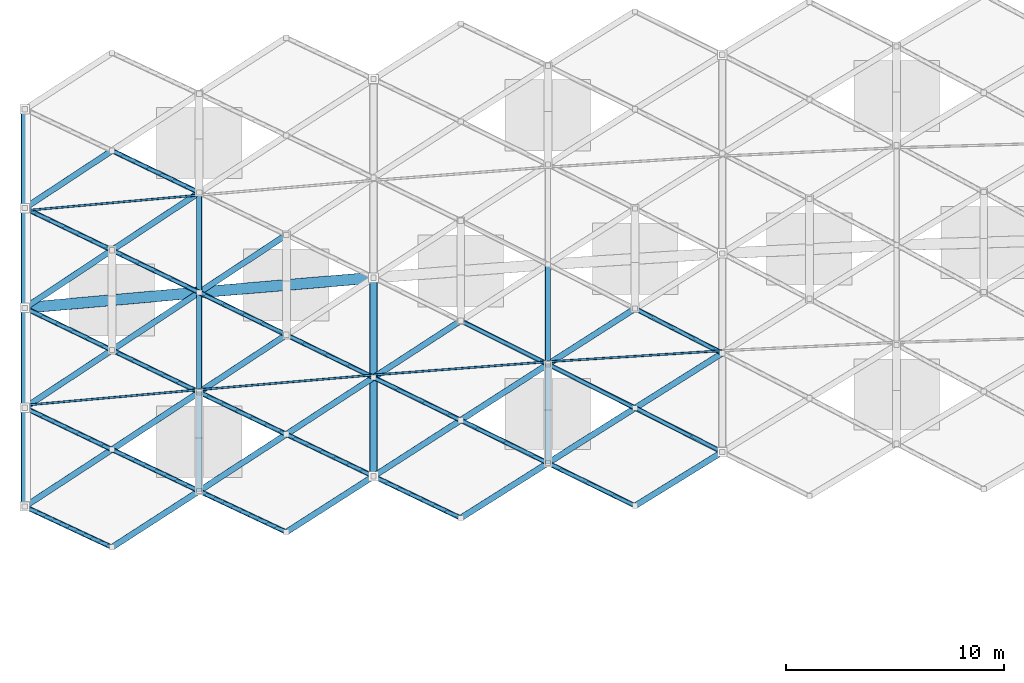
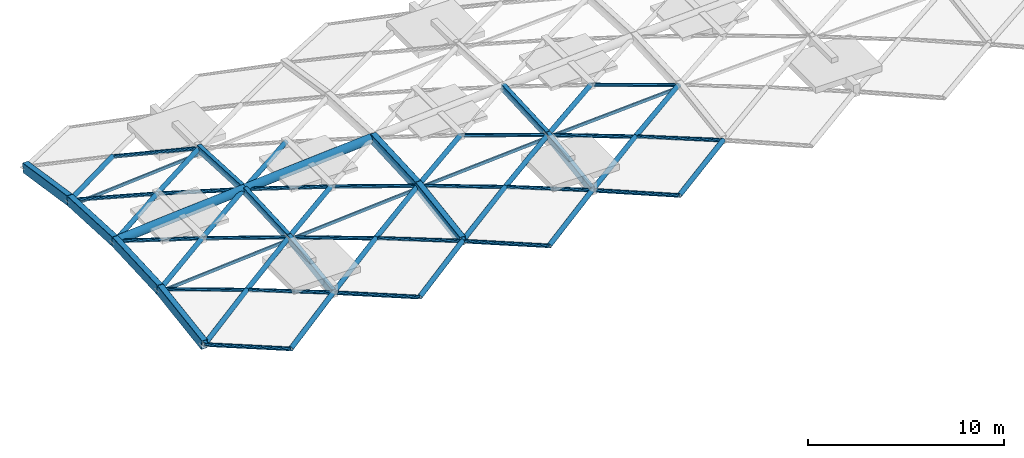
# One storey, part 2 of 27: 49 members, 11 beams.
"""IFC4 building model written with IfcOpenShell, lengths in metres."""

from ifc_helpers import new_model, si_unit, direction, frame, origin, origin_2d, place, context, subcontext, project, spatial, hollow_rectangle, hollow_circle, extrude, material, material_profile, profile_set, type_object, element, save


model = new_model("IFC4")

# Units and contexts
model_context = context("Model", 3, precision=1e-05, world=origin(), true_north=direction((0.0, 1.0)))
body_context = subcontext(model_context, "Body", "Model", "MODEL_VIEW")
ifc_project = project(units=[si_unit("LENGTHUNIT", "METRE"), si_unit("AREAUNIT", "SQUARE_METRE"), si_unit("VOLUMEUNIT", "CUBIC_METRE"), si_unit("PLANEANGLEUNIT", "RADIAN"), si_unit("MASSUNIT", "GRAM", prefix="KILO")], contexts=[model_context])

# Site, building, storey
site_placement = place(None, origin())
site = spatial("IfcSite", under=ifc_project, at=site_placement, CompositionType="ELEMENT")
building_placement = place(site_placement, origin())
building = spatial("IfcBuilding", under=site, at=building_placement, Name="Kenh Van Central Station", CompositionType="ELEMENT")
storey_placement = place(building_placement, frame((0.0, 0.0, 19.199951171875)))
storey = spatial("IfcBuildingStorey", under=building, at=storey_placement, Name="L04", CompositionType="ELEMENT", Elevation=19.199951171875)

# Beams
ifc_material = material(Name="White fluoropolymer structural steel S355", Category="steel")
ifc_material_profile_1 = material_profile(ifc_material, hollow_rectangle(XDim=0.35009765625, YDim=0.60009765625, WallThickness=0.01611328125, InnerFilletRadius=0.01611328125, OuterFilletRadius=0.031982421875, at=origin_2d()), Name="RHS 600x350x16")
ifc_profile_set_1 = profile_set([ifc_material_profile_1], Name="White fluoropolymer structural steel S355")
beam_type_1 = type_object("IfcBeamType", Name="BM-VAULT-ARCH600", PredefinedType="BEAM", material=ifc_profile_set_1)
beam_1_placement = place(storey_placement, frame((32.0, 78.886962890625, 1.081787109375), z_axis=(0.0, 0.988525687015, 0.15105285867), x_axis=(-1.0, 0.0, 0.0)))
element("IfcBeam", 1, at=beam_1_placement, inside=storey, type_object=beam_type_1, Name="Vault transverse arch 005", PredefinedType="BEAM", context=body_context, shape_type="SweptSolid", body=[
    extrude(hollow_rectangle(XDim=0.35009765625, YDim=0.60009765625, WallThickness=0.01611328125, InnerFilletRadius=0.01611328125, OuterFilletRadius=0.031982421875, at=origin_2d()), origin(), (0.0, 0.0, 1.0), 4.58544921875),
])
for number, where, z_axis, x_axis, name in (
    (2, (32.0, 83.419677734375, 1.7744140625), (0.0, 0.998789366283, 0.049191480968), (-1.0, 0.0, 0.0), "Vault transverse arch 006"),
    (3, (32.0, 88.0, 2.0), (0.0, 0.998789366283, -0.049191480968), (-1.0, 0.0, 0.0), "Vault transverse arch 007"),
):
    element("IfcBeam", number, at=place(storey_placement, frame(where, z_axis=z_axis, x_axis=x_axis)), inside=storey, type_object=beam_type_1, Name=name, PredefinedType="BEAM", context=body_context, shape_type="SweptSolid", body=[
        extrude(hollow_rectangle(XDim=0.35009765625, YDim=0.60009765625, WallThickness=0.01611328125, InnerFilletRadius=0.01611328125, OuterFilletRadius=0.031982421875, at=origin_2d()), origin(), (0.0, 0.0, 1.0), 4.5859375),
    ])
for number, where, z_axis, x_axis, name in (
    (4, (32.0, 92.580322265625, 1.7744140625), (0.0, 0.988525687015, -0.15105285867), (-1.0, 0.0, 0.0), "Vault transverse arch 008"),
    (5, (48.0, 80.275390625, 1.081787109375), (0.0, 0.988525687015, 0.15105285867), (-1.0, 0.0, 0.0), "Vault transverse arch 029"),
):
    element("IfcBeam", number, at=place(storey_placement, frame(where, z_axis=z_axis, x_axis=x_axis)), inside=storey, type_object=beam_type_1, Name=name, PredefinedType="BEAM", context=body_context, shape_type="SweptSolid", body=[
        extrude(hollow_rectangle(XDim=0.35009765625, YDim=0.60009765625, WallThickness=0.01611328125, InnerFilletRadius=0.01611328125, OuterFilletRadius=0.031982421875, at=origin_2d()), origin(), (0.0, 0.0, 1.0), 4.58544921875),
    ])
beam_2_placement = place(storey_placement, frame((48.0, 84.80810546875, 1.7744140625), z_axis=(0.0, 0.998789366283, 0.049191480968), x_axis=(-1.0, 0.0, 0.0)))
element("IfcBeam", 6, at=beam_2_placement, inside=storey, type_object=beam_type_1, Name="Vault transverse arch 030", PredefinedType="BEAM", context=body_context, shape_type="SweptSolid", body=[
    extrude(hollow_rectangle(XDim=0.35009765625, YDim=0.60009765625, WallThickness=0.01611328125, InnerFilletRadius=0.01611328125, OuterFilletRadius=0.031982421875, at=origin_2d()), origin(), (0.0, 0.0, 1.0), 4.5859375),
])
ifc_material_profile_2 = material_profile(ifc_material, hollow_rectangle(XDim=0.25, YDim=0.449951171875, WallThickness=0.012451171875, InnerFilletRadius=0.012451171875, OuterFilletRadius=0.02490234375, at=origin_2d()), Name="RHS 450x250x12.5")
ifc_profile_set_2 = profile_set([ifc_material_profile_2], Name="White fluoropolymer structural steel S355")
beam_type_2 = type_object("IfcBeamType", Name="BM-VAULT-SUB450", PredefinedType="BEAM", material=ifc_profile_set_2)
beam_3_placement = place(storey_placement, frame((40.0, 79.59912109375, 1.081787109375), z_axis=(0.0, 0.988525687015, 0.15105285867), x_axis=(-1.0, 0.0, 0.0)))
element("IfcBeam", 7, at=beam_3_placement, inside=storey, type_object=beam_type_2, Name="Vault transverse arch 017", PredefinedType="BEAM", context=body_context, shape_type="SweptSolid", body=[
    extrude(hollow_rectangle(XDim=0.25, YDim=0.449951171875, WallThickness=0.012451171875, InnerFilletRadius=0.012451171875, OuterFilletRadius=0.02490234375, at=origin_2d()), origin(), (0.0, 0.0, 1.0), 4.58544921875),
])
beam_4_placement = place(storey_placement, frame((40.0, 84.1318359375, 1.7744140625), z_axis=(0.0, 0.998789366283, 0.049191480968), x_axis=(-1.0, 0.0, 0.0)))
element("IfcBeam", 8, at=beam_4_placement, inside=storey, type_object=beam_type_2, Name="Vault transverse arch 018", PredefinedType="BEAM", context=body_context, shape_type="SweptSolid", body=[
    extrude(hollow_rectangle(XDim=0.25, YDim=0.449951171875, WallThickness=0.012451171875, InnerFilletRadius=0.012451171875, OuterFilletRadius=0.02490234375, at=origin_2d()), origin(), (0.0, 0.0, 1.0), 4.5859375),
])
beam_5_placement = place(storey_placement, frame((40.0, 88.712158203125, 2.0), z_axis=(0.0, 0.998789237449, -0.04919409677), x_axis=(-1.0, 0.0, 0.0)))
element("IfcBeam", 9, at=beam_5_placement, inside=storey, type_object=beam_type_2, Name="Vault transverse arch 019", PredefinedType="BEAM", context=body_context, shape_type="SweptSolid", body=[
    extrude(hollow_rectangle(XDim=0.25, YDim=0.449951171875, WallThickness=0.012451171875, InnerFilletRadius=0.012451171875, OuterFilletRadius=0.02490234375, at=origin_2d()), origin(), (0.0, 0.0, 1.0), 4.585693359375),
])
beam_6_placement = place(storey_placement, frame((56.0, 80.882080078125, 1.081787109375), z_axis=(0.0, 0.988526901782, 0.151044908728), x_axis=(-1.0, 0.0, 0.0)))
element("IfcBeam", 10, at=beam_6_placement, inside=storey, type_object=beam_type_2, Name="Vault transverse arch 041", PredefinedType="BEAM", context=body_context, shape_type="SweptSolid", body=[
    extrude(hollow_rectangle(XDim=0.25, YDim=0.449951171875, WallThickness=0.012451171875, InnerFilletRadius=0.012451171875, OuterFilletRadius=0.02490234375, at=origin_2d()), origin(), (0.0, 0.0, 1.0), 4.58544921875),
])
beam_7_placement = place(storey_placement, frame((56.0, 85.4150390625, 1.7744140625), z_axis=(0.0, 0.998789237449, 0.04919409677), x_axis=(-1.0, 0.0, 0.0)))
element("IfcBeam", 11, at=beam_7_placement, inside=storey, type_object=beam_type_2, Name="Vault transverse arch 042", PredefinedType="BEAM", context=body_context, shape_type="SweptSolid", body=[
    extrude(hollow_rectangle(XDim=0.25, YDim=0.449951171875, WallThickness=0.012451171875, InnerFilletRadius=0.012451171875, OuterFilletRadius=0.02490234375, at=origin_2d()), origin(), (0.0, 0.0, 1.0), 4.585693359375),
])

# Members
ifc_material_profile_3 = material_profile(ifc_material, hollow_rectangle(XDim=0.10009765625, YDim=0.199951171875, WallThickness=0.008056640625, InnerFilletRadius=0.008056640625, OuterFilletRadius=0.01611328125, at=origin_2d()), Name="RHS 200x100x8")
ifc_profile_set_3 = profile_set([ifc_material_profile_3], Name="White fluoropolymer structural steel S355")
member_type_1 = type_object("IfcMemberType", Name="MEM-PUR-RHS200", PredefinedType="PURLIN", material=ifc_profile_set_3)
member_1_placement = place(storey_placement, frame((32.0, 83.53466796875, 1.51904296875), z_axis=(0.99606113461, 0.088669138478, 0.0), x_axis=(-0.088669138478, 0.99606113461, 0.0)))
element("IfcMember", 12, at=member_1_placement, inside=storey, type_object=member_type_1, Name="Vault longitudinal purlin 015", PredefinedType="PURLIN", context=body_context, shape_type="SweptSolid", body=[
    extrude(hollow_rectangle(XDim=0.10009765625, YDim=0.199951171875, WallThickness=0.008056640625, InnerFilletRadius=0.008056640625, OuterFilletRadius=0.01611328125, at=origin_2d()), origin(), (0.0, 0.0, 1.0), 8.03173828125),
])
member_2_placement = place(storey_placement, frame((40.0, 84.246826171875, 1.51904296875), z_axis=(0.996446063383, 0.084233264025, 0.0), x_axis=(-0.084233264025, 0.996446063383, 0.0)))
element("IfcMember", 13, at=member_2_placement, inside=storey, type_object=member_type_1, Name="Vault longitudinal purlin 016", PredefinedType="PURLIN", context=body_context, shape_type="SweptSolid", body=[
    extrude(hollow_rectangle(XDim=0.10009765625, YDim=0.199951171875, WallThickness=0.008056640625, InnerFilletRadius=0.008056640625, OuterFilletRadius=0.01611328125, at=origin_2d()), origin(), (0.0, 0.0, 1.0), 8.028564453125),
])
member_3_placement = place(storey_placement, frame((48.0, 84.923095703125, 1.51904296875), z_axis=(0.997136780926, 0.075619046039, 0.0), x_axis=(-0.075619046039, 0.997136780926, 0.0)))
element("IfcMember", 14, at=member_3_placement, inside=storey, type_object=member_type_1, Name="Vault longitudinal purlin 017", PredefinedType="PURLIN", context=body_context, shape_type="SweptSolid", body=[
    extrude(hollow_rectangle(XDim=0.10009765625, YDim=0.199951171875, WallThickness=0.008056640625, InnerFilletRadius=0.008056640625, OuterFilletRadius=0.01611328125, at=origin_2d()), origin(), (0.0, 0.0, 1.0), 8.02294921875),
])
member_4_placement = place(storey_placement, frame((56.0, 85.52978515625, 1.51904296875), z_axis=(0.997999125469, 0.063227727798, 0.0), x_axis=(-0.063227727798, 0.997999125469, 0.0)))
element("IfcMember", 15, at=member_4_placement, inside=storey, type_object=member_type_1, Name="Vault longitudinal purlin 018", PredefinedType="PURLIN", context=body_context, shape_type="SweptSolid", body=[
    extrude(hollow_rectangle(XDim=0.10009765625, YDim=0.199951171875, WallThickness=0.008056640625, InnerFilletRadius=0.008056640625, OuterFilletRadius=0.01611328125, at=origin_2d()), origin(), (0.0, 0.0, 1.0), 8.01611328125),
])
member_5_placement = place(storey_placement, frame((32.0, 92.46533203125, 1.51904296875), z_axis=(0.99606113461, 0.088669138478, 0.0), x_axis=(-0.088669138478, 0.99606113461, 0.0)))
element("IfcMember", 16, at=member_5_placement, inside=storey, type_object=member_type_1, Name="Vault longitudinal purlin 029", PredefinedType="PURLIN", context=body_context, shape_type="SweptSolid", body=[
    extrude(hollow_rectangle(XDim=0.10009765625, YDim=0.199951171875, WallThickness=0.008056640625, InnerFilletRadius=0.008056640625, OuterFilletRadius=0.01611328125, at=origin_2d()), origin(), (0.0, 0.0, 1.0), 8.03173828125),
])
ifc_material_profile_4 = material_profile(ifc_material, hollow_circle(Radius=0.109619140625, WallThickness=0.008056640625, at=origin_2d()), Name="CHS 219.1x8")
ifc_profile_set_4 = profile_set([ifc_material_profile_4], Name="White fluoropolymer structural steel S355")
member_type_2 = type_object("IfcMemberType", Name="MEM-VAULT-BRC219", PredefinedType="BRACE", material=ifc_profile_set_4)
member_6_placement = place(storey_placement, frame((32.0, 78.886962890625, 1.081787109375), z_axis=(0.899154385215, -0.420710297672, -0.120516542354), x_axis=(0.423799235073, 0.905756152809, 0.0)))
element("IfcMember", 17, at=member_6_placement, inside=storey, type_object=member_type_2, Name="Vault diamond grid member 0009", PredefinedType="BRACE", context=body_context, shape_type="SweptSolid", body=[
    extrude(hollow_circle(Radius=0.109619140625, WallThickness=0.008056640625, at=origin_2d()), origin(), (0.0, 0.0, 1.0), 4.44873046875),
])
member_7_placement = place(storey_placement, frame((32.0, 83.419677734375, 1.7744140625), z_axis=(0.899905197116, -0.431332733945, -0.064208323696), x_axis=(0.432224622277, 0.901765976236, 0.0)))
element("IfcMember", 18, at=member_7_placement, inside=storey, type_object=member_type_2, Name="Vault diamond grid member 0011", PredefinedType="BRACE", context=body_context, shape_type="SweptSolid", body=[
    extrude(hollow_circle(Radius=0.109619140625, WallThickness=0.008056640625, at=origin_2d()), origin(), (0.0, 0.0, 1.0), 4.44482421875),
])
member_8_placement = place(storey_placement, frame((32.0, 88.0, 2.0), z_axis=(0.900167968517, -0.435359557039, -0.0126366353), x_axis=(0.4353943213, 0.900239848585, 0.0)))
element("IfcMember", 19, at=member_8_placement, inside=storey, type_object=member_type_2, Name="Vault diamond grid member 0013", PredefinedType="BRACE", context=body_context, shape_type="SweptSolid", body=[
    extrude(hollow_circle(Radius=0.109619140625, WallThickness=0.008056640625, at=origin_2d()), origin(), (0.0, 0.0, 1.0), 4.443603515625),
])
member_9_placement = place(storey_placement, frame((32.0, 92.580322265625, 1.7744140625), z_axis=(0.900058531913, -0.434098054149, 0.038125037912), x_axis=(0.434413883268, 0.900713371736, 0.0)))
element("IfcMember", 20, at=member_9_placement, inside=storey, type_object=member_type_2, Name="Vault diamond grid member 0015", PredefinedType="BRACE", context=body_context, shape_type="SweptSolid", body=[
    extrude(hollow_circle(Radius=0.109619140625, WallThickness=0.008056640625, at=origin_2d()), origin(), (0.0, 0.0, 1.0), 4.444091796875),
])
member_10_placement = place(storey_placement, frame((36.0, 81.50244140625, 1.489013671875), z_axis=(0.89919518806, -0.427864116584, -0.091544041363), x_axis=(0.429668281425, 0.902986803856, 0.0)))
element("IfcMember", 21, at=member_10_placement, inside=storey, type_object=member_type_2, Name="Vault diamond grid member 0034", PredefinedType="BRACE", context=body_context, shape_type="SweptSolid", body=[
    extrude(hollow_circle(Radius=0.109619140625, WallThickness=0.008056640625, at=origin_2d()), origin(), (0.0, 0.0, 1.0), 4.448486328125),
])
member_11_placement = place(storey_placement, frame((36.0, 86.0654296875, 1.94384765625), z_axis=(0.899671990143, -0.434900034298, -0.038108664622), x_axis=(0.435216174887, 0.900325986028, 0.0)))
element("IfcMember", 22, at=member_11_placement, inside=storey, type_object=member_type_2, Name="Vault diamond grid member 0036", PredefinedType="BRACE", context=body_context, shape_type="SweptSolid", body=[
    extrude(hollow_circle(Radius=0.109619140625, WallThickness=0.008056640625, at=origin_2d()), origin(), (0.0, 0.0, 1.0), 4.446044921875),
])
member_12_placement = place(storey_placement, frame((36.0, 90.651123046875, 1.94384765625), z_axis=(0.899780211148, -0.436160549129, 0.012631191929), x_axis=(0.436195347349, 0.899851998359, 0.0)))
element("IfcMember", 23, at=member_12_placement, inside=storey, type_object=member_type_2, Name="Vault diamond grid member 0038", PredefinedType="BRACE", context=body_context, shape_type="SweptSolid", body=[
    extrude(hollow_circle(Radius=0.109619140625, WallThickness=0.008056640625, at=origin_2d()), origin(), (0.0, 0.0, 1.0), 4.445556640625),
])
member_13_placement = place(storey_placement, frame((36.0, 95.214111328125, 1.489013671875), z_axis=(0.899499902168, -0.43218159362, 0.064179405861), x_axis=(0.433074429918, 0.90135816308, 0.0)))
element("IfcMember", 24, at=member_13_placement, inside=storey, type_object=member_type_2, Name="Vault diamond grid member 0040", PredefinedType="BRACE", context=body_context, shape_type="SweptSolid", body=[
    extrude(hollow_circle(Radius=0.109619140625, WallThickness=0.008056640625, at=origin_2d()), origin(), (0.0, 0.0, 1.0), 4.447021484375),
])
member_14_placement = place(storey_placement, frame((40.0, 79.59912109375, 1.081787109375), z_axis=(0.897989833528, -0.423234710358, -0.120360453761), x_axis=(0.426334049759, 0.904565795294, 0.0)))
element("IfcMember", 25, at=member_14_placement, inside=storey, type_object=member_type_2, Name="Vault diamond grid member 0057", PredefinedType="BRACE", context=body_context, shape_type="SweptSolid", body=[
    extrude(hollow_circle(Radius=0.109619140625, WallThickness=0.008056640625, at=origin_2d()), origin(), (0.0, 0.0, 1.0), 4.454345703125),
])
member_15_placement = place(storey_placement, frame((40.0, 84.1318359375, 1.7744140625), z_axis=(0.898709411144, -0.433831343551, -0.06412300425), x_axis=(0.434726008596, 0.90056276708, 0.0)))
element("IfcMember", 26, at=member_15_placement, inside=storey, type_object=member_type_2, Name="Vault diamond grid member 0059", PredefinedType="BRACE", context=body_context, shape_type="SweptSolid", body=[
    extrude(hollow_circle(Radius=0.109619140625, WallThickness=0.008056640625, at=origin_2d()), origin(), (0.0, 0.0, 1.0), 4.450927734375),
])
member_16_placement = place(storey_placement, frame((40.0, 88.712158203125, 2.0), z_axis=(0.89896037554, -0.43784813213, -0.012619683006), x_axis=(0.437883001353, 0.899031966688, 0.0)))
element("IfcMember", 27, at=member_16_placement, inside=storey, type_object=member_type_2, Name="Vault diamond grid member 0061", PredefinedType="BRACE", context=body_context, shape_type="SweptSolid", body=[
    extrude(hollow_circle(Radius=0.109619140625, WallThickness=0.008056640625, at=origin_2d()), origin(), (0.0, 0.0, 1.0), 4.449462890625),
])
member_17_placement = place(storey_placement, frame((44.0, 82.200927734375, 1.489013671875), z_axis=(0.897268705184, -0.431931047228, -0.091347912613), x_axis=(0.433744516041, 0.901035900952, 0.0)))
element("IfcMember", 28, at=member_17_placement, inside=storey, type_object=member_type_2, Name="Vault diamond grid member 0082", PredefinedType="BRACE", context=body_context, shape_type="SweptSolid", body=[
    extrude(hollow_circle(Radius=0.109619140625, WallThickness=0.008056640625, at=origin_2d()), origin(), (0.0, 0.0, 1.0), 4.4580078125),
])
member_18_placement = place(storey_placement, frame((44.0, 86.763916015625, 1.94384765625), z_axis=(0.897712034837, -0.438938666448, -0.038025644054), x_axis=(0.439256352604, 0.898361762709, 0.0)))
element("IfcMember", 29, at=member_18_placement, inside=storey, type_object=member_type_2, Name="Vault diamond grid member 0084", PredefinedType="BRACE", context=body_context, shape_type="SweptSolid", body=[
    extrude(hollow_circle(Radius=0.109619140625, WallThickness=0.008056640625, at=origin_2d()), origin(), (0.0, 0.0, 1.0), 4.455810546875),
])
member_19_placement = place(storey_placement, frame((48.0, 80.275390625, 1.081787109375), z_axis=(0.895376372843, -0.428834130719, -0.120010163255), x_axis=(0.431956022393, 0.901894669414, 0.0)))
element("IfcMember", 30, at=member_19_placement, inside=storey, type_object=member_type_2, Name="Vault diamond grid member 0105", PredefinedType="BRACE", context=body_context, shape_type="SweptSolid", body=[
    extrude(hollow_circle(Radius=0.109619140625, WallThickness=0.008056640625, at=origin_2d()), origin(), (0.0, 0.0, 1.0), 4.46728515625),
])
member_20_placement = place(storey_placement, frame((48.0, 84.80810546875, 1.7744140625), z_axis=(0.896027031149, -0.439372629898, -0.063931616175), x_axis=(0.440273305035, 0.897863807531, 0.0)))
element("IfcMember", 31, at=member_20_placement, inside=storey, type_object=member_type_2, Name="Vault diamond grid member 0107", PredefinedType="BRACE", context=body_context, shape_type="SweptSolid", body=[
    extrude(hollow_circle(Radius=0.109619140625, WallThickness=0.008056640625, at=origin_2d()), origin(), (0.0, 0.0, 1.0), 4.464111328125),
])
member_21_placement = place(storey_placement, frame((52.0, 82.8466796875, 1.489013671875), z_axis=(0.893857870913, -0.439018206008, -0.091000667034), x_axis=(0.440847355971, 0.897582090248, 0.0)))
element("IfcMember", 32, at=member_21_placement, inside=storey, type_object=member_type_2, Name="Vault diamond grid member 0130", PredefinedType="BRACE", context=body_context, shape_type="SweptSolid", body=[
    extrude(hollow_circle(Radius=0.109619140625, WallThickness=0.008056640625, at=origin_2d()), origin(), (0.0, 0.0, 1.0), 4.47509765625),
])
member_22_placement = place(storey_placement, frame((52.0, 87.40966796875, 1.94384765625), z_axis=(0.894265070601, -0.445931739918, -0.037879636169), x_axis=(0.446252010951, 0.894907337506, 0.0)))
element("IfcMember", 33, at=member_22_placement, inside=storey, type_object=member_type_2, Name="Vault diamond grid member 0132", PredefinedType="BRACE", context=body_context, shape_type="SweptSolid", body=[
    extrude(hollow_circle(Radius=0.109619140625, WallThickness=0.008056640625, at=origin_2d()), origin(), (0.0, 0.0, 1.0), 4.472900390625),
])
member_23_placement = place(storey_placement, frame((56.0, 80.882080078125, 1.081787109375), z_axis=(0.891347084703, -0.437295402029, -0.119470104859), x_axis=(0.440449993653, 0.897777145561, 0.0)))
element("IfcMember", 34, at=member_23_placement, inside=storey, type_object=member_type_2, Name="Vault diamond grid member 0153", PredefinedType="BRACE", context=body_context, shape_type="SweptSolid", body=[
    extrude(hollow_circle(Radius=0.109619140625, WallThickness=0.008056640625, at=origin_2d()), origin(), (0.0, 0.0, 1.0), 4.487548828125),
])
member_24_placement = place(storey_placement, frame((56.0, 85.4150390625, 1.7744140625), z_axis=(0.891872836935, -0.447787228798, -0.063635214012), x_axis=(0.448696635535, 0.893684132823, 0.0)))
element("IfcMember", 35, at=member_24_placement, inside=storey, type_object=member_type_2, Name="Vault diamond grid member 0155", PredefinedType="BRACE", context=body_context, shape_type="SweptSolid", body=[
    extrude(hollow_circle(Radius=0.109619140625, WallThickness=0.008056640625, at=origin_2d()), origin(), (0.0, 0.0, 1.0), 4.48486328125),
])
member_25_placement = place(storey_placement, frame((60.0, 83.40673828125, 1.489013671875), z_axis=(0.889164678776, -0.44854407166, -0.090522868909), x_axis=(0.450393216394, 0.892830303376, 0.0)))
element("IfcMember", 36, at=member_25_placement, inside=storey, type_object=member_type_2, Name="Vault diamond grid member 0178", PredefinedType="BRACE", context=body_context, shape_type="SweptSolid", body=[
    extrude(hollow_circle(Radius=0.109619140625, WallThickness=0.008056640625, at=origin_2d()), origin(), (0.0, 0.0, 1.0), 4.49853515625),
])
member_26_placement = place(storey_placement, frame((60.0, 87.9697265625, 1.94384765625), z_axis=(0.889473195619, -0.455431557498, -0.03767666002), x_axis=(0.455755151594, 0.890105185804, 0.0)))
element("IfcMember", 37, at=member_26_placement, inside=storey, type_object=member_type_2, Name="Vault diamond grid member 0180", PredefinedType="BRACE", context=body_context, shape_type="SweptSolid", body=[
    extrude(hollow_circle(Radius=0.109619140625, WallThickness=0.008056640625, at=origin_2d()), origin(), (0.0, 0.0, 1.0), 4.4970703125),
])
ifc_material_profile_5 = material_profile(ifc_material, hollow_circle(Radius=0.136474609375, WallThickness=0.010009765625, at=origin_2d()), Name="CHS 273x10")
ifc_profile_set_5 = profile_set([ifc_material_profile_5], Name="White fluoropolymer structural steel S355")
member_type_3 = type_object("IfcMemberType", Name="MEM-VAULT-CHD273", PredefinedType="CHORD", material=ifc_profile_set_5)
member_27_placement = place(storey_placement, frame((32.0, 78.886962890625, 1.081787109375), z_axis=(0.833938713525, 0.545287197143, 0.084900498911), x_axis=(-0.547263126479, 0.836960614603, 0.0)))
element("IfcMember", 38, at=member_27_placement, inside=storey, type_object=member_type_3, Name="Vault diamond grid member 0008", PredefinedType="CHORD", context=body_context, shape_type="SweptSolid", body=[
    extrude(hollow_circle(Radius=0.136474609375, WallThickness=0.010009765625, at=origin_2d()), origin(), (0.0, 0.0, 1.0), 4.796630859375),
])
member_28_placement = place(storey_placement, frame((32.0, 83.419677734375, 1.7744140625), z_axis=(0.833537561667, 0.551333407946, 0.03530731615), x_axis=(-0.5516773775, 0.834057594627, 0.0)))
element("IfcMember", 39, at=member_28_placement, inside=storey, type_object=member_type_3, Name="Vault diamond grid member 0010", PredefinedType="CHORD", context=body_context, shape_type="SweptSolid", body=[
    extrude(hollow_circle(Radius=0.136474609375, WallThickness=0.010009765625, at=origin_2d()), origin(), (0.0, 0.0, 1.0), 4.798828125),
])
member_29_placement = place(storey_placement, frame((32.0, 88.0, 2.0), z_axis=(0.833485167076, 0.552417933916, -0.011700536403), x_axis=(-0.552455751512, 0.833542226058, 0.0)))
element("IfcMember", 40, at=member_29_placement, inside=storey, type_object=member_type_3, Name="Vault diamond grid member 0012", PredefinedType="CHORD", context=body_context, shape_type="SweptSolid", body=[
    extrude(hollow_circle(Radius=0.136474609375, WallThickness=0.010009765625, at=origin_2d()), origin(), (0.0, 0.0, 1.0), 4.799072265625),
])
member_30_placement = place(storey_placement, frame((32.0, 92.580322265625, 1.7744140625), z_axis=(0.833726076648, 0.548964655449, -0.059486436987), x_axis=(-0.549938533961, 0.835205129812, 0.0)))
element("IfcMember", 41, at=member_30_placement, inside=storey, type_object=member_type_3, Name="Vault diamond grid member 0014", PredefinedType="CHORD", context=body_context, shape_type="SweptSolid", body=[
    extrude(hollow_circle(Radius=0.136474609375, WallThickness=0.010009765625, at=origin_2d()), origin(), (0.0, 0.0, 1.0), 4.7978515625),
])
member_31_placement = place(storey_placement, frame((36.0, 77.015380859375, 0.545654296875), z_axis=(0.83472657669, 0.539179160224, 0.111881076807), x_axis=(-0.542585728731, 0.840000432725, 0.0)))
element("IfcMember", 42, at=member_31_placement, inside=storey, type_object=member_type_3, Name="Vault diamond grid member 0031", PredefinedType="CHORD", context=body_context, shape_type="SweptSolid", body=[
    extrude(hollow_circle(Radius=0.136474609375, WallThickness=0.010009765625, at=origin_2d()), origin(), (0.0, 0.0, 1.0), 4.7919921875),
])
member_32_placement = place(storey_placement, frame((36.0, 81.50244140625, 1.489013671875), z_axis=(0.834145264507, 0.54832424919, 0.059516346082), x_axis=(-0.549297972625, 0.835626553713, 0.0)))
element("IfcMember", 43, at=member_32_placement, inside=storey, type_object=member_type_3, Name="Vault diamond grid member 0033", PredefinedType="CHORD", context=body_context, shape_type="SweptSolid", body=[
    extrude(hollow_circle(Radius=0.136474609375, WallThickness=0.010009765625, at=origin_2d()), origin(), (0.0, 0.0, 1.0), 4.79541015625),
])
member_33_placement = place(storey_placement, frame((36.0, 86.0654296875, 1.94384765625), z_axis=(0.833906752318, 0.551781195183, 0.011706454653), x_axis=(-0.551819007415, 0.833963897933, 0.0)))
element("IfcMember", 44, at=member_33_placement, inside=storey, type_object=member_type_3, Name="Vault diamond grid member 0035", PredefinedType="CHORD", context=body_context, shape_type="SweptSolid", body=[
    extrude(hollow_circle(Radius=0.136474609375, WallThickness=0.010009765625, at=origin_2d()), origin(), (0.0, 0.0, 1.0), 4.796630859375),
])
member_34_placement = place(storey_placement, frame((36.0, 90.651123046875, 1.94384765625), z_axis=(0.833981747272, 0.55066006726, -0.035326131141), x_axis=(-0.551003983317, 0.834502612559, 0.0)))
element("IfcMember", 45, at=member_34_placement, inside=storey, type_object=member_type_3, Name="Vault diamond grid member 0037", PredefinedType="CHORD", context=body_context, shape_type="SweptSolid", body=[
    extrude(hollow_circle(Radius=0.136474609375, WallThickness=0.010009765625, at=origin_2d()), origin(), (0.0, 0.0, 1.0), 4.79638671875),
])
member_35_placement = place(storey_placement, frame((40.0, 79.59912109375, 1.081787109375), z_axis=(0.835234508798, 0.543279672868, 0.085032419475), x_axis=(-0.54525448371, 0.838270569682, 0.0)))
element("IfcMember", 46, at=member_35_placement, inside=storey, type_object=member_type_3, Name="Vault diamond grid member 0056", PredefinedType="CHORD", context=body_context, shape_type="SweptSolid", body=[
    extrude(hollow_circle(Radius=0.136474609375, WallThickness=0.010009765625, at=origin_2d()), origin(), (0.0, 0.0, 1.0), 4.7890625),
])
member_36_placement = place(storey_placement, frame((40.0, 84.1318359375, 1.7744140625), z_axis=(0.834846536416, 0.549345734198, 0.035362762224), x_axis=(-0.549689541961, 0.835369024718, 0.0)))
element("IfcMember", 47, at=member_36_placement, inside=storey, type_object=member_type_3, Name="Vault diamond grid member 0058", PredefinedType="CHORD", context=body_context, shape_type="SweptSolid", body=[
    extrude(hollow_circle(Radius=0.136474609375, WallThickness=0.010009765625, at=origin_2d()), origin(), (0.0, 0.0, 1.0), 4.791259765625),
])
member_37_placement = place(storey_placement, frame((40.0, 88.712158203125, 2.0), z_axis=(0.834773152084, 0.550469307563, -0.011718617247), x_axis=(-0.550507108328, 0.834830476013, 0.0)))
element("IfcMember", 48, at=member_37_placement, inside=storey, type_object=member_type_3, Name="Vault diamond grid member 0060", PredefinedType="CHORD", context=body_context, shape_type="SweptSolid", body=[
    extrude(hollow_circle(Radius=0.136474609375, WallThickness=0.010009765625, at=origin_2d()), origin(), (0.0, 0.0, 1.0), 4.791748046875),
])
member_38_placement = place(storey_placement, frame((44.0, 77.7138671875, 0.545654296875), z_axis=(0.836812013258, 0.535878396185, 0.11216059455), x_axis=(-0.539281210442, 0.842125748368, 0.0)))
element("IfcMember", 49, at=member_38_placement, inside=storey, type_object=member_type_3, Name="Vault diamond grid member 0079", PredefinedType="CHORD", context=body_context, shape_type="SweptSolid", body=[
    extrude(hollow_circle(Radius=0.136474609375, WallThickness=0.010009765625, at=origin_2d()), origin(), (0.0, 0.0, 1.0), 4.780029296875),
])
member_39_placement = place(storey_placement, frame((44.0, 82.200927734375, 1.489013671875), z_axis=(0.836263408069, 0.545071834397, 0.059667475832), x_axis=(-0.546044717382, 0.837756030488, 0.0)))
element("IfcMember", 50, at=member_39_placement, inside=storey, type_object=member_type_3, Name="Vault diamond grid member 0081", PredefinedType="CHORD", context=body_context, shape_type="SweptSolid", body=[
    extrude(hollow_circle(Radius=0.136474609375, WallThickness=0.010009765625, at=origin_2d()), origin(), (0.0, 0.0, 1.0), 4.783203125),
])
member_40_placement = place(storey_placement, frame((48.0, 80.275390625, 1.081787109375), z_axis=(0.838124024314, 0.538764784184, 0.085326591343), x_axis=(-0.540736831818, 0.841191820405, 0.0)))
element("IfcMember", 51, at=member_40_placement, inside=storey, type_object=member_type_3, Name="Vault diamond grid member 0104", PredefinedType="CHORD", context=body_context, shape_type="SweptSolid", body=[
    extrude(hollow_circle(Radius=0.136474609375, WallThickness=0.010009765625, at=origin_2d()), origin(), (0.0, 0.0, 1.0), 4.7724609375),
])
member_41_placement = place(storey_placement, frame((48.0, 84.80810546875, 1.7744140625), z_axis=(0.837765962791, 0.544875128143, 0.035486424449), x_axis=(-0.545218529405, 0.838293955121, 0.0)))
element("IfcMember", 52, at=member_41_placement, inside=storey, type_object=member_type_3, Name="Vault diamond grid member 0106", PredefinedType="CHORD", context=body_context, shape_type="SweptSolid", body=[
    extrude(hollow_circle(Radius=0.136474609375, WallThickness=0.010009765625, at=origin_2d()), origin(), (0.0, 0.0, 1.0), 4.774658203125),
])
member_42_placement = place(storey_placement, frame((52.0, 78.359619140625, 0.545654296875), z_axis=(0.840472512832, 0.530014770665, 0.112651223033), x_axis=(-0.533410143989, 0.845856736268, 0.0)))
element("IfcMember", 53, at=member_42_placement, inside=storey, type_object=member_type_3, Name="Vault diamond grid member 0127", PredefinedType="CHORD", context=body_context, shape_type="SweptSolid", body=[
    extrude(hollow_circle(Radius=0.136474609375, WallThickness=0.010009765625, at=origin_2d()), origin(), (0.0, 0.0, 1.0), 4.75927734375),
])
member_43_placement = place(storey_placement, frame((52.0, 82.8466796875, 1.489013671875), z_axis=(0.839959508267, 0.53932946942, 0.059931192942), x_axis=(-0.540300654133, 0.841472045372, 0.0)))
element("IfcMember", 54, at=member_43_placement, inside=storey, type_object=member_type_3, Name="Vault diamond grid member 0129", PredefinedType="CHORD", context=body_context, shape_type="SweptSolid", body=[
    extrude(hollow_circle(Radius=0.136474609375, WallThickness=0.010009765625, at=origin_2d()), origin(), (0.0, 0.0, 1.0), 4.76220703125),
])
member_44_placement = place(storey_placement, frame((56.0, 80.882080078125, 1.081787109375), z_axis=(0.842530462949, 0.531775361167, 0.085775196057), x_axis=(-0.53374246021, 0.845647081334, 0.0)))
element("IfcMember", 55, at=member_44_placement, inside=storey, type_object=member_type_3, Name="Vault diamond grid member 0152", PredefinedType="CHORD", context=body_context, shape_type="SweptSolid", body=[
    extrude(hollow_circle(Radius=0.136474609375, WallThickness=0.010009765625, at=origin_2d()), origin(), (0.0, 0.0, 1.0), 4.74755859375),
])
member_45_placement = place(storey_placement, frame((56.0, 85.4150390625, 1.7744140625), z_axis=(0.842242721568, 0.537916738189, 0.035676052781), x_axis=(-0.538259390347, 0.842779228923, 0.0)))
element("IfcMember", 56, at=member_45_placement, inside=storey, type_object=member_type_3, Name="Vault diamond grid member 0154", PredefinedType="CHORD", context=body_context, shape_type="SweptSolid", body=[
    extrude(hollow_circle(Radius=0.136474609375, WallThickness=0.010009765625, at=origin_2d()), origin(), (0.0, 0.0, 1.0), 4.749267578125),
])
member_46_placement = place(storey_placement, frame((60.0, 78.919677734375, 0.545654296875), z_axis=(0.845445378066, 0.521901523056, 0.113317752089), x_axis=(-0.525284989257, 0.850926365828, 0.0)))
element("IfcMember", 57, at=member_46_placement, inside=storey, type_object=member_type_3, Name="Vault diamond grid member 0175", PredefinedType="CHORD", context=body_context, shape_type="SweptSolid", body=[
    extrude(hollow_circle(Radius=0.136474609375, WallThickness=0.010009765625, at=origin_2d()), origin(), (0.0, 0.0, 1.0), 4.731201171875),
])
member_47_placement = place(storey_placement, frame((60.0, 83.40673828125, 1.489013671875), z_axis=(0.845038483663, 0.531295252699, 0.060293578333), x_axis=(-0.532263606661, 0.846578675035, 0.0)))
element("IfcMember", 58, at=member_47_placement, inside=storey, type_object=member_type_3, Name="Vault diamond grid member 0177", PredefinedType="CHORD", context=body_context, shape_type="SweptSolid", body=[
    extrude(hollow_circle(Radius=0.136474609375, WallThickness=0.010009765625, at=origin_2d()), origin(), (0.0, 0.0, 1.0), 4.7333984375),
])
ifc_material_profile_6 = material_profile(ifc_material, hollow_circle(Radius=0.25390625, WallThickness=0.01611328125, at=origin_2d()), Name="CHS 508x16")
ifc_profile_set_6 = profile_set([ifc_material_profile_6], Name="White fluoropolymer structural steel S355")
member_type_4 = type_object("IfcMemberType", Name="MEM-VAULT-CHD508", PredefinedType="CHORD", material=ifc_profile_set_6)
member_48_placement = place(storey_placement, frame((32.0, 88.0, 2.0), z_axis=(0.99606113461, 0.088669138478, 0.0), x_axis=(-0.088669138478, 0.99606113461, 0.0)))
element("IfcMember", 59, at=member_48_placement, inside=storey, type_object=member_type_4, Name="Vault longitudinal spine chord 01", PredefinedType="CHORD", context=body_context, shape_type="SweptSolid", body=[
    extrude(hollow_circle(Radius=0.25390625, WallThickness=0.01611328125, at=origin_2d()), origin(), (0.0, 0.0, 1.0), 8.03173828125),
])
member_49_placement = place(storey_placement, frame((40.0, 88.712158203125, 2.0), z_axis=(0.996446063383, 0.084233264025, 0.0), x_axis=(-0.084233264025, 0.996446063383, 0.0)))
element("IfcMember", 60, at=member_49_placement, inside=storey, type_object=member_type_4, Name="Vault longitudinal spine chord 02", PredefinedType="CHORD", context=body_context, shape_type="SweptSolid", body=[
    extrude(hollow_circle(Radius=0.25390625, WallThickness=0.01611328125, at=origin_2d()), origin(), (0.0, 0.0, 1.0), 8.028564453125),
])

save(model, "model.ifc")
